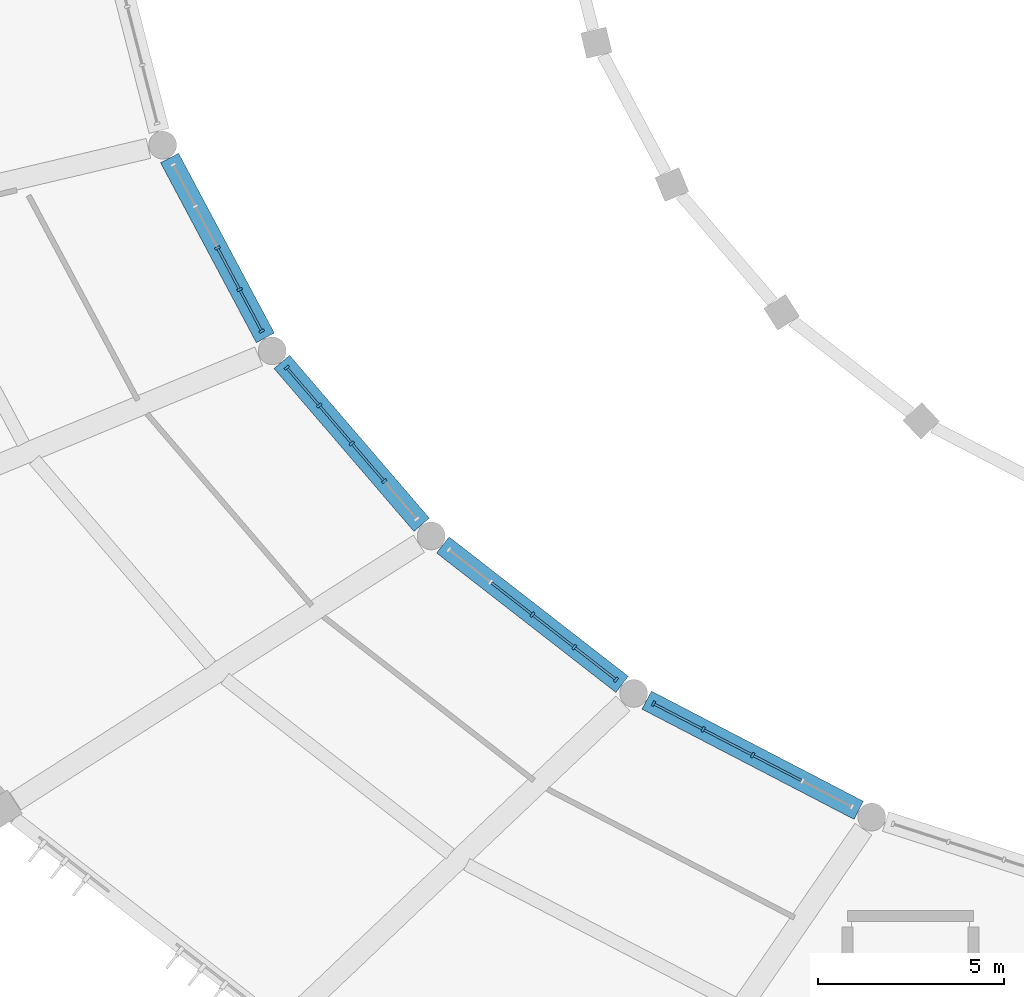
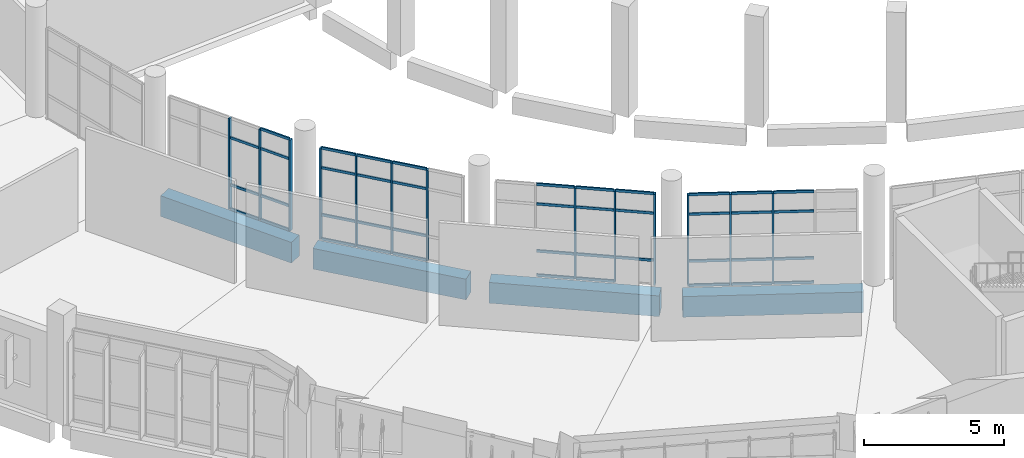
# One storey, part 11 of 179: 55 members, 4 beams, 4 elements without a shape of their own.
"""IFC4 building model written with IfcOpenShell, lengths in metres."""

from ifc_helpers import new_model, si_unit, direction, frame, origin, origin_2d, place, context, subcontext, project, spatial, rectangle, extrude, material, layer, layer_set, material_profile, profile_set, type_object, element, aggregate, save


model = new_model("IFC4")

# Units and contexts
model_context = context("Model", 3, precision=1e-05, world=origin(), true_north=direction((0.0, 1.0)))
body_context = subcontext(model_context, "Body", "Model", "MODEL_VIEW")
ifc_project = project(units=[si_unit("LENGTHUNIT", "METRE"), si_unit("AREAUNIT", "SQUARE_METRE"), si_unit("VOLUMEUNIT", "CUBIC_METRE"), si_unit("PLANEANGLEUNIT", "RADIAN"), si_unit("MASSUNIT", "GRAM", prefix="KILO")], contexts=[model_context])

# Site, building, storey
site_placement = place(None, origin())
site = spatial("IfcSite", under=ifc_project, at=site_placement, CompositionType="ELEMENT")
building_placement = place(site_placement, origin())
building = spatial("IfcBuilding", under=site, at=building_placement, Name="Corvandel Quay Wholesale Market", CompositionType="ELEMENT")
storey_placement = place(building_placement, frame((0.0, 0.0, 6.0)))
storey = spatial("IfcBuildingStorey", under=building, at=storey_placement, Name="L01", CompositionType="ELEMENT", Elevation=6.0)

# Curtain wall, members
ifc_material_1 = material(Name="Bronze anodised aluminium and low-E insulated glazing", Category="aluminium")
ifc_layer_1 = layer(ifc_material_1, 0.18603515625)
ifc_layer_set_1 = layer_set([ifc_layer_1], Name="Bronze anodised aluminium and low-E insulated glazing")
curtain_wall_type_1 = type_object("IfcCurtainWallType", Name="Stick Curtain Wall System CW08 H3720", PredefinedType="NOTDEFINED", material=ifc_layer_set_1)
curtain_wall_1_placement = place(storey_placement, origin())
curtain_wall_1 = element("IfcCurtainWall", 1, at=curtain_wall_1_placement, inside=storey, type_object=curtain_wall_type_1, Name="Curtain Wall CW-0051", PredefinedType="NOTDEFINED")
ifc_material_2 = material(Name="Anodised aluminium 6063-T6", Category="aluminium")
ifc_material_profile_1 = material_profile(ifc_material_2, rectangle(XDim=0.06494140625, YDim=0.14990234375, at=origin_2d()), Name="ALU-MUL-65x150")
ifc_profile_set_1 = profile_set([ifc_material_profile_1], Name="Anodised aluminium 6063-T6")
member_type_1 = type_object("IfcMemberType", Name="Curtain Wall Mullion ML02 65x150", PredefinedType="MULLION", material=ifc_profile_set_1)
member_1_placement = place(storey_placement, frame((77.83056640625, 30.347412109375, 0.0), z_axis=(0.0, 0.0, 1.0), x_axis=(-0.470087862033, 0.882619624736, 0.0)))
member_1 = element("IfcMember", 2, at=member_1_placement, type_object=member_type_1, Name="Mullion CW-0051-M02", PredefinedType="MULLION", context=body_context, shape_type="SweptSolid", body=[
    extrude(rectangle(XDim=0.06494140625, YDim=0.14990234375, at=origin_2d()), origin(), (0.0, 0.0, 1.0), 3.949951171875),
])
member_2_placement = place(storey_placement, frame((78.42724609375, 29.22705078125, 0.0), z_axis=(0.0, 0.0, 1.0), x_axis=(-0.470087862033, 0.882619624736, 0.0)))
member_2 = element("IfcMember", 3, at=member_2_placement, type_object=member_type_1, Name="Mullion CW-0051-M03", PredefinedType="MULLION", context=body_context, shape_type="SweptSolid", body=[
    extrude(rectangle(XDim=0.06494140625, YDim=0.14990234375, at=origin_2d()), origin(), (0.0, 0.0, 1.0), 3.949951171875),
])
member_3_placement = place(storey_placement, frame((79.02392578125, 28.106689453125, 0.0), z_axis=(0.0, 0.0, 1.0), x_axis=(-0.470087862033, 0.882619624736, 0.0)))
member_3 = element("IfcMember", 4, at=member_3_placement, type_object=member_type_1, Name="Mullion CW-0051-M04", PredefinedType="MULLION", context=body_context, shape_type="SweptSolid", body=[
    extrude(rectangle(XDim=0.06494140625, YDim=0.14990234375, at=origin_2d()), origin(), (0.0, 0.0, 1.0), 3.949951171875),
])

ifc_layer_2 = layer(ifc_material_1, 0.197998046875)
ifc_layer_set_2 = layer_set([ifc_layer_2], Name="Bronze anodised aluminium and low-E insulated glazing")
curtain_wall_type_2 = type_object("IfcCurtainWallType", Name="Stick Curtain Wall System CW09 H3810", PredefinedType="NOTDEFINED", material=ifc_layer_set_2)
curtain_wall_2_placement = place(storey_placement, origin())
curtain_wall_2 = element("IfcCurtainWall", 5, at=curtain_wall_2_placement, inside=storey, type_object=curtain_wall_type_2, Name="Curtain Wall CW-0055", PredefinedType="NOTDEFINED")
member_4_placement = place(storey_placement, frame((79.697021484375, 27.121826171875, 0.0), z_axis=(0.0, 0.0, 1.0), x_axis=(-0.651568967347, 0.758589401976, 0.0)))
member_4 = element("IfcMember", 6, at=member_4_placement, type_object=member_type_1, Name="Mullion CW-0055-M00", PredefinedType="MULLION", context=body_context, shape_type="SweptSolid", body=[
    extrude(rectangle(XDim=0.06494140625, YDim=0.14990234375, at=origin_2d()), origin(), (0.0, 0.0, 1.0), 3.949951171875),
])
member_5_placement = place(storey_placement, frame((80.572509765625, 26.1025390625, 0.0), z_axis=(0.0, 0.0, 1.0), x_axis=(-0.651568967347, 0.758589401976, 0.0)))
member_5 = element("IfcMember", 7, at=member_5_placement, type_object=member_type_1, Name="Mullion CW-0055-M01", PredefinedType="MULLION", context=body_context, shape_type="SweptSolid", body=[
    extrude(rectangle(XDim=0.06494140625, YDim=0.14990234375, at=origin_2d()), origin(), (0.0, 0.0, 1.0), 3.949951171875),
])
member_6_placement = place(storey_placement, frame((81.447998046875, 25.0830078125, 0.0), z_axis=(0.0, 0.0, 1.0), x_axis=(-0.651568967347, 0.758589401976, 0.0)))
member_6 = element("IfcMember", 8, at=member_6_placement, type_object=member_type_1, Name="Mullion CW-0055-M02", PredefinedType="MULLION", context=body_context, shape_type="SweptSolid", body=[
    extrude(rectangle(XDim=0.06494140625, YDim=0.14990234375, at=origin_2d()), origin(), (0.0, 0.0, 1.0), 3.949951171875),
])
member_7_placement = place(storey_placement, frame((82.323486328125, 24.0634765625, 0.0), z_axis=(0.0, 0.0, 1.0), x_axis=(-0.651568967347, 0.758589401976, 0.0)))
member_7 = element("IfcMember", 9, at=member_7_placement, type_object=member_type_1, Name="Mullion CW-0055-M03", PredefinedType="MULLION", context=body_context, shape_type="SweptSolid", body=[
    extrude(rectangle(XDim=0.06494140625, YDim=0.14990234375, at=origin_2d()), origin(), (0.0, 0.0, 1.0), 3.949951171875),
])

ifc_layer_3 = layer(ifc_material_1, 0.14990234375)
ifc_layer_set_3 = layer_set([ifc_layer_3], Name="Bronze anodised aluminium and low-E insulated glazing")
curtain_wall_type_3 = type_object("IfcCurtainWallType", Name="Stick Curtain Wall System CW10 H3900", PredefinedType="NOTDEFINED", material=ifc_layer_set_3)
curtain_wall_3_placement = place(storey_placement, origin())
curtain_wall_3 = element("IfcCurtainWall", 10, at=curtain_wall_3_placement, inside=storey, type_object=curtain_wall_type_3, Name="Curtain Wall CW-0058", PredefinedType="NOTDEFINED")
member_8_placement = place(storey_placement, frame((86.31640625, 20.468505859375, 0.0), z_axis=(0.0, 0.0, 1.0), x_axis=(-0.789405615633, 0.613871952452, 0.0)))
member_8 = element("IfcMember", 11, at=member_8_placement, type_object=member_type_1, Name="Mullion CW-0058-M02", PredefinedType="MULLION", context=body_context, shape_type="SweptSolid", body=[
    extrude(rectangle(XDim=0.06494140625, YDim=0.14990234375, at=origin_2d()), origin(), (0.0, 0.0, 1.0), 3.949951171875),
])
member_9_placement = place(storey_placement, frame((87.44287109375, 19.59228515625, 0.0), z_axis=(0.0, 0.0, 1.0), x_axis=(-0.789405615633, 0.613871952452, 0.0)))
member_9 = element("IfcMember", 12, at=member_9_placement, type_object=member_type_1, Name="Mullion CW-0058-M03", PredefinedType="MULLION", context=body_context, shape_type="SweptSolid", body=[
    extrude(rectangle(XDim=0.06494140625, YDim=0.14990234375, at=origin_2d()), origin(), (0.0, 0.0, 1.0), 3.949951171875),
])
member_10_placement = place(storey_placement, frame((88.5693359375, 18.71630859375, 0.0), z_axis=(0.0, 0.0, 1.0), x_axis=(-0.789405615633, 0.613871952452, 0.0)))
member_10 = element("IfcMember", 13, at=member_10_placement, type_object=member_type_1, Name="Mullion CW-0058-M04", PredefinedType="MULLION", context=body_context, shape_type="SweptSolid", body=[
    extrude(rectangle(XDim=0.06494140625, YDim=0.14990234375, at=origin_2d()), origin(), (0.0, 0.0, 1.0), 3.949951171875),
])

ifc_layer_4 = layer(ifc_material_1, 0.162109375)
ifc_layer_set_4 = layer_set([ifc_layer_4], Name="Bronze anodised aluminium and low-E insulated glazing")
curtain_wall_type_4 = type_object("IfcCurtainWallType", Name="Stick Curtain Wall System CW11 H3990", PredefinedType="NOTDEFINED", material=ifc_layer_set_4)
curtain_wall_4_placement = place(storey_placement, origin())
curtain_wall_4 = element("IfcCurtainWall", 14, at=curtain_wall_4_placement, inside=storey, type_object=curtain_wall_type_4, Name="Curtain Wall CW-0061", PredefinedType="NOTDEFINED")
member_11_placement = place(storey_placement, frame((89.575439453125, 18.0712890625, 0.0), z_axis=(0.0, 0.0, 1.0), x_axis=(-0.887332978338, 0.461129250378, 0.0)))
member_11 = element("IfcMember", 15, at=member_11_placement, type_object=member_type_1, Name="Mullion CW-0061-M00", PredefinedType="MULLION", context=body_context, shape_type="SweptSolid", body=[
    extrude(rectangle(XDim=0.06494140625, YDim=0.14990234375, at=origin_2d()), origin(), (0.0, 0.0, 1.0), 3.949951171875),
])
member_12_placement = place(storey_placement, frame((90.91259765625, 17.376708984375, 0.0), z_axis=(0.0, 0.0, 1.0), x_axis=(-0.887332978338, 0.461129250378, 0.0)))
member_12 = element("IfcMember", 16, at=member_12_placement, type_object=member_type_1, Name="Mullion CW-0061-M01", PredefinedType="MULLION", context=body_context, shape_type="SweptSolid", body=[
    extrude(rectangle(XDim=0.06494140625, YDim=0.14990234375, at=origin_2d()), origin(), (0.0, 0.0, 1.0), 3.949951171875),
])
member_13_placement = place(storey_placement, frame((92.24951171875, 16.681884765625, 0.0), z_axis=(0.0, 0.0, 1.0), x_axis=(-0.887332978338, 0.461129250378, 0.0)))
member_13 = element("IfcMember", 17, at=member_13_placement, type_object=member_type_1, Name="Mullion CW-0061-M02", PredefinedType="MULLION", context=body_context, shape_type="SweptSolid", body=[
    extrude(rectangle(XDim=0.06494140625, YDim=0.14990234375, at=origin_2d()), origin(), (0.0, 0.0, 1.0), 3.949951171875),
])

# Member
ifc_material_profile_2 = material_profile(ifc_material_2, rectangle(XDim=0.06005859375, YDim=0.110107421875, at=origin_2d()), Name="ALU-TRN-60x110")
ifc_profile_set_2 = profile_set([ifc_material_profile_2], Name="Anodised aluminium 6063-T6")
member_type_2 = type_object("IfcMemberType", Name="Curtain Wall Transom TR02 60x110", PredefinedType="USERDEFINED", material=ifc_profile_set_2)
member_14_placement = place(storey_placement, frame((77.845703125, 30.31884765625, 0.0), z_axis=(0.470167437755, -0.882577237682, 0.0), x_axis=(0.882577237682, 0.470167437755, 0.0)))
member_14 = element("IfcMember", 18, at=member_14_placement, type_object=member_type_2, Name="Transom CW-0051-T02-0", ObjectType="TRANSOM", PredefinedType="USERDEFINED", context=body_context, shape_type="SweptSolid", body=[
    extrude(rectangle(XDim=0.06005859375, YDim=0.110107421875, at=origin_2d()), origin(), (0.0, 0.0, 1.0), 1.20458984375),
])

member_15_placement = place(storey_placement, frame((77.845703125, 30.31884765625, 1.050048828125), z_axis=(0.470167437755, -0.882577237682, 0.0), x_axis=(0.882577237682, 0.470167437755, 0.0)))
member_15 = element("IfcMember", 19, at=member_15_placement, type_object=member_type_2, Name="Transom CW-0051-T02-1", ObjectType="TRANSOM", PredefinedType="USERDEFINED", context=body_context, shape_type="SweptSolid", body=[
    extrude(rectangle(XDim=0.06005859375, YDim=0.110107421875, at=origin_2d()), origin(), (0.0, 0.0, 1.0), 1.20458984375),
])

member_16_placement = place(storey_placement, frame((77.845703125, 30.31884765625, 3.10009765625), z_axis=(0.470167437755, -0.882577237682, 0.0), x_axis=(0.882577237682, 0.470167437755, 0.0)))
member_16 = element("IfcMember", 20, at=member_16_placement, type_object=member_type_2, Name="Transom CW-0051-T02-2", ObjectType="TRANSOM", PredefinedType="USERDEFINED", context=body_context, shape_type="SweptSolid", body=[
    extrude(rectangle(XDim=0.06005859375, YDim=0.110107421875, at=origin_2d()), origin(), (0.0, 0.0, 1.0), 1.20458984375),
])

member_17_placement = place(storey_placement, frame((78.4423828125, 29.198486328125, 0.0), z_axis=(0.470167437755, -0.882577237682, 0.0), x_axis=(0.882577237682, 0.470167437755, 0.0)))
member_17 = element("IfcMember", 21, at=member_17_placement, type_object=member_type_2, Name="Transom CW-0051-T03-0", ObjectType="TRANSOM", PredefinedType="USERDEFINED", context=body_context, shape_type="SweptSolid", body=[
    extrude(rectangle(XDim=0.06005859375, YDim=0.110107421875, at=origin_2d()), origin(), (0.0, 0.0, 1.0), 1.20458984375),
])

member_18_placement = place(storey_placement, frame((78.4423828125, 29.198486328125, 1.050048828125), z_axis=(0.470167437755, -0.882577237682, 0.0), x_axis=(0.882577237682, 0.470167437755, 0.0)))
member_18 = element("IfcMember", 22, at=member_18_placement, type_object=member_type_2, Name="Transom CW-0051-T03-1", ObjectType="TRANSOM", PredefinedType="USERDEFINED", context=body_context, shape_type="SweptSolid", body=[
    extrude(rectangle(XDim=0.06005859375, YDim=0.110107421875, at=origin_2d()), origin(), (0.0, 0.0, 1.0), 1.20458984375),
])

member_19_placement = place(storey_placement, frame((78.4423828125, 29.198486328125, 3.10009765625), z_axis=(0.470167437755, -0.882577237682, 0.0), x_axis=(0.882577237682, 0.470167437755, 0.0)))
member_19 = element("IfcMember", 23, at=member_19_placement, type_object=member_type_2, Name="Transom CW-0051-T03-2", ObjectType="TRANSOM", PredefinedType="USERDEFINED", context=body_context, shape_type="SweptSolid", body=[
    extrude(rectangle(XDim=0.06005859375, YDim=0.110107421875, at=origin_2d()), origin(), (0.0, 0.0, 1.0), 1.20458984375),
])

member_20_placement = place(storey_placement, frame((78.4423828125, 29.198486328125, 3.949951171875), z_axis=(0.470167437755, -0.882577237682, 0.0), x_axis=(0.882577237682, 0.470167437755, 0.0)))
member_20 = element("IfcMember", 24, at=member_20_placement, type_object=member_type_2, Name="Transom CW-0051-T03-3", ObjectType="TRANSOM", PredefinedType="USERDEFINED", context=body_context, shape_type="SweptSolid", body=[
    extrude(rectangle(XDim=0.06005859375, YDim=0.110107421875, at=origin_2d()), origin(), (0.0, 0.0, 1.0), 1.20458984375),
])

aggregate(curtain_wall_1, [member_1, member_2, member_3, member_14, member_15, member_16, member_17, member_18, member_19, member_20])

member_21_placement = place(storey_placement, frame((79.718017578125, 27.09716796875, 0.0), z_axis=(0.651624309471, -0.758541863911, 0.0), x_axis=(0.758541863911, 0.651624309471, 0.0)))
member_21 = element("IfcMember", 25, at=member_21_placement, type_object=member_type_2, Name="Transom CW-0055-T00-0", ObjectType="TRANSOM", PredefinedType="USERDEFINED", context=body_context, shape_type="SweptSolid", body=[
    extrude(rectangle(XDim=0.06005859375, YDim=0.110107421875, at=origin_2d()), origin(), (0.0, 0.0, 1.0), 1.27880859375),
])

member_22_placement = place(storey_placement, frame((79.718017578125, 27.09716796875, 1.050048828125), z_axis=(0.651624309471, -0.758541863911, 0.0), x_axis=(0.758541863911, 0.651624309471, 0.0)))
member_22 = element("IfcMember", 26, at=member_22_placement, type_object=member_type_2, Name="Transom CW-0055-T00-1", ObjectType="TRANSOM", PredefinedType="USERDEFINED", context=body_context, shape_type="SweptSolid", body=[
    extrude(rectangle(XDim=0.06005859375, YDim=0.110107421875, at=origin_2d()), origin(), (0.0, 0.0, 1.0), 1.27880859375),
])

member_23_placement = place(storey_placement, frame((79.718017578125, 27.09716796875, 3.10009765625), z_axis=(0.651624309471, -0.758541863911, 0.0), x_axis=(0.758541863911, 0.651624309471, 0.0)))
member_23 = element("IfcMember", 27, at=member_23_placement, type_object=member_type_2, Name="Transom CW-0055-T00-2", ObjectType="TRANSOM", PredefinedType="USERDEFINED", context=body_context, shape_type="SweptSolid", body=[
    extrude(rectangle(XDim=0.06005859375, YDim=0.110107421875, at=origin_2d()), origin(), (0.0, 0.0, 1.0), 1.27880859375),
])

member_24_placement = place(storey_placement, frame((79.718017578125, 27.09716796875, 3.949951171875), z_axis=(0.651624309471, -0.758541863911, 0.0), x_axis=(0.758541863911, 0.651624309471, 0.0)))
member_24 = element("IfcMember", 28, at=member_24_placement, type_object=member_type_2, Name="Transom CW-0055-T00-3", ObjectType="TRANSOM", PredefinedType="USERDEFINED", context=body_context, shape_type="SweptSolid", body=[
    extrude(rectangle(XDim=0.06005859375, YDim=0.110107421875, at=origin_2d()), origin(), (0.0, 0.0, 1.0), 1.27880859375),
])

member_25_placement = place(storey_placement, frame((80.593505859375, 26.077880859375, 0.0), z_axis=(0.651529947256, -0.758622915439, 0.0), x_axis=(0.758622915439, 0.651529947256, 0.0)))
member_25 = element("IfcMember", 29, at=member_25_placement, type_object=member_type_2, Name="Transom CW-0055-T01-0", ObjectType="TRANSOM", PredefinedType="USERDEFINED", context=body_context, shape_type="SweptSolid", body=[
    extrude(rectangle(XDim=0.06005859375, YDim=0.110107421875, at=origin_2d()), origin(), (0.0, 0.0, 1.0), 1.27880859375),
])

member_26_placement = place(storey_placement, frame((80.593505859375, 26.077880859375, 1.050048828125), z_axis=(0.651529947256, -0.758622915439, 0.0), x_axis=(0.758622915439, 0.651529947256, 0.0)))
member_26 = element("IfcMember", 30, at=member_26_placement, type_object=member_type_2, Name="Transom CW-0055-T01-1", ObjectType="TRANSOM", PredefinedType="USERDEFINED", context=body_context, shape_type="SweptSolid", body=[
    extrude(rectangle(XDim=0.06005859375, YDim=0.110107421875, at=origin_2d()), origin(), (0.0, 0.0, 1.0), 1.27880859375),
])

member_27_placement = place(storey_placement, frame((80.593505859375, 26.077880859375, 3.10009765625), z_axis=(0.651529947256, -0.758622915439, 0.0), x_axis=(0.758622915439, 0.651529947256, 0.0)))
member_27 = element("IfcMember", 31, at=member_27_placement, type_object=member_type_2, Name="Transom CW-0055-T01-2", ObjectType="TRANSOM", PredefinedType="USERDEFINED", context=body_context, shape_type="SweptSolid", body=[
    extrude(rectangle(XDim=0.06005859375, YDim=0.110107421875, at=origin_2d()), origin(), (0.0, 0.0, 1.0), 1.27880859375),
])

member_28_placement = place(storey_placement, frame((80.593505859375, 26.077880859375, 3.949951171875), z_axis=(0.651529947256, -0.758622915439, 0.0), x_axis=(0.758622915439, 0.651529947256, 0.0)))
member_28 = element("IfcMember", 32, at=member_28_placement, type_object=member_type_2, Name="Transom CW-0055-T01-3", ObjectType="TRANSOM", PredefinedType="USERDEFINED", context=body_context, shape_type="SweptSolid", body=[
    extrude(rectangle(XDim=0.06005859375, YDim=0.110107421875, at=origin_2d()), origin(), (0.0, 0.0, 1.0), 1.27880859375),
])

member_29_placement = place(storey_placement, frame((81.46923828125, 25.058349609375, 0.0), z_axis=(0.651529947256, -0.758622915439, 0.0), x_axis=(0.758622915439, 0.651529947256, 0.0)))
member_29 = element("IfcMember", 33, at=member_29_placement, type_object=member_type_2, Name="Transom CW-0055-T02-0", ObjectType="TRANSOM", PredefinedType="USERDEFINED", context=body_context, shape_type="SweptSolid", body=[
    extrude(rectangle(XDim=0.06005859375, YDim=0.110107421875, at=origin_2d()), origin(), (0.0, 0.0, 1.0), 1.27880859375),
])

member_30_placement = place(storey_placement, frame((81.46923828125, 25.058349609375, 1.050048828125), z_axis=(0.651529947256, -0.758622915439, 0.0), x_axis=(0.758622915439, 0.651529947256, 0.0)))
member_30 = element("IfcMember", 34, at=member_30_placement, type_object=member_type_2, Name="Transom CW-0055-T02-1", ObjectType="TRANSOM", PredefinedType="USERDEFINED", context=body_context, shape_type="SweptSolid", body=[
    extrude(rectangle(XDim=0.06005859375, YDim=0.110107421875, at=origin_2d()), origin(), (0.0, 0.0, 1.0), 1.27880859375),
])

member_31_placement = place(storey_placement, frame((81.46923828125, 25.058349609375, 3.10009765625), z_axis=(0.651529947256, -0.758622915439, 0.0), x_axis=(0.758622915439, 0.651529947256, 0.0)))
member_31 = element("IfcMember", 35, at=member_31_placement, type_object=member_type_2, Name="Transom CW-0055-T02-2", ObjectType="TRANSOM", PredefinedType="USERDEFINED", context=body_context, shape_type="SweptSolid", body=[
    extrude(rectangle(XDim=0.06005859375, YDim=0.110107421875, at=origin_2d()), origin(), (0.0, 0.0, 1.0), 1.27880859375),
])

member_32_placement = place(storey_placement, frame((81.46923828125, 25.058349609375, 3.949951171875), z_axis=(0.651529947256, -0.758622915439, 0.0), x_axis=(0.758622915439, 0.651529947256, 0.0)))
member_32 = element("IfcMember", 36, at=member_32_placement, type_object=member_type_2, Name="Transom CW-0055-T02-3", ObjectType="TRANSOM", PredefinedType="USERDEFINED", context=body_context, shape_type="SweptSolid", body=[
    extrude(rectangle(XDim=0.06005859375, YDim=0.110107421875, at=origin_2d()), origin(), (0.0, 0.0, 1.0), 1.27880859375),
])

aggregate(curtain_wall_2, [member_4, member_5, member_6, member_7, member_21, member_22, member_23, member_24, member_25, member_26, member_27, member_28, member_29, member_30, member_31, member_32])

member_33_placement = place(storey_placement, frame((85.2158203125, 21.32470703125, 0.0), z_axis=(0.789313604412, -0.613990255533, 0.0), x_axis=(0.613990255533, 0.789313604412, 0.0)))
member_33 = element("IfcMember", 37, at=member_33_placement, type_object=member_type_2, Name="Transom CW-0058-T01-0", ObjectType="TRANSOM", PredefinedType="USERDEFINED", context=body_context, shape_type="SweptSolid", body=[
    extrude(rectangle(XDim=0.06005859375, YDim=0.110107421875, at=origin_2d()), origin(), (0.0, 0.0, 1.0), 1.36181640625),
])

member_34_placement = place(storey_placement, frame((85.2158203125, 21.32470703125, 1.050048828125), z_axis=(0.789313604412, -0.613990255533, 0.0), x_axis=(0.613990255533, 0.789313604412, 0.0)))
member_34 = element("IfcMember", 38, at=member_34_placement, type_object=member_type_2, Name="Transom CW-0058-T01-1", ObjectType="TRANSOM", PredefinedType="USERDEFINED", context=body_context, shape_type="SweptSolid", body=[
    extrude(rectangle(XDim=0.06005859375, YDim=0.110107421875, at=origin_2d()), origin(), (0.0, 0.0, 1.0), 1.36181640625),
])

member_35_placement = place(storey_placement, frame((85.2158203125, 21.32470703125, 3.10009765625), z_axis=(0.789313604412, -0.613990255533, 0.0), x_axis=(0.613990255533, 0.789313604412, 0.0)))
member_35 = element("IfcMember", 39, at=member_35_placement, type_object=member_type_2, Name="Transom CW-0058-T01-2", ObjectType="TRANSOM", PredefinedType="USERDEFINED", context=body_context, shape_type="SweptSolid", body=[
    extrude(rectangle(XDim=0.06005859375, YDim=0.110107421875, at=origin_2d()), origin(), (0.0, 0.0, 1.0), 1.36181640625),
])

member_36_placement = place(storey_placement, frame((85.2158203125, 21.32470703125, 3.949951171875), z_axis=(0.789313604412, -0.613990255533, 0.0), x_axis=(0.613990255533, 0.789313604412, 0.0)))
member_36 = element("IfcMember", 40, at=member_36_placement, type_object=member_type_2, Name="Transom CW-0058-T01-3", ObjectType="TRANSOM", PredefinedType="USERDEFINED", context=body_context, shape_type="SweptSolid", body=[
    extrude(rectangle(XDim=0.06005859375, YDim=0.110107421875, at=origin_2d()), origin(), (0.0, 0.0, 1.0), 1.36181640625),
])

member_37_placement = place(storey_placement, frame((86.34228515625, 20.448486328125, 0.0), z_axis=(0.789313604412, -0.613990255533, 0.0), x_axis=(0.613990255533, 0.789313604412, 0.0)))
member_37 = element("IfcMember", 41, at=member_37_placement, type_object=member_type_2, Name="Transom CW-0058-T02-0", ObjectType="TRANSOM", PredefinedType="USERDEFINED", context=body_context, shape_type="SweptSolid", body=[
    extrude(rectangle(XDim=0.06005859375, YDim=0.110107421875, at=origin_2d()), origin(), (0.0, 0.0, 1.0), 1.36181640625),
])

member_38_placement = place(storey_placement, frame((86.34228515625, 20.448486328125, 1.050048828125), z_axis=(0.789313604412, -0.613990255533, 0.0), x_axis=(0.613990255533, 0.789313604412, 0.0)))
member_38 = element("IfcMember", 42, at=member_38_placement, type_object=member_type_2, Name="Transom CW-0058-T02-1", ObjectType="TRANSOM", PredefinedType="USERDEFINED", context=body_context, shape_type="SweptSolid", body=[
    extrude(rectangle(XDim=0.06005859375, YDim=0.110107421875, at=origin_2d()), origin(), (0.0, 0.0, 1.0), 1.36181640625),
])

member_39_placement = place(storey_placement, frame((86.34228515625, 20.448486328125, 3.10009765625), z_axis=(0.789313604412, -0.613990255533, 0.0), x_axis=(0.613990255533, 0.789313604412, 0.0)))
member_39 = element("IfcMember", 43, at=member_39_placement, type_object=member_type_2, Name="Transom CW-0058-T02-2", ObjectType="TRANSOM", PredefinedType="USERDEFINED", context=body_context, shape_type="SweptSolid", body=[
    extrude(rectangle(XDim=0.06005859375, YDim=0.110107421875, at=origin_2d()), origin(), (0.0, 0.0, 1.0), 1.36181640625),
])

member_40_placement = place(storey_placement, frame((86.34228515625, 20.448486328125, 3.949951171875), z_axis=(0.789313604412, -0.613990255533, 0.0), x_axis=(0.613990255533, 0.789313604412, 0.0)))
member_40 = element("IfcMember", 44, at=member_40_placement, type_object=member_type_2, Name="Transom CW-0058-T02-3", ObjectType="TRANSOM", PredefinedType="USERDEFINED", context=body_context, shape_type="SweptSolid", body=[
    extrude(rectangle(XDim=0.06005859375, YDim=0.110107421875, at=origin_2d()), origin(), (0.0, 0.0, 1.0), 1.36181640625),
])

member_41_placement = place(storey_placement, frame((87.468505859375, 19.572509765625, 1.050048828125), z_axis=(0.789381170954, -0.613903385676, 0.0), x_axis=(0.613903385676, 0.789381170954, 0.0)))
member_41 = element("IfcMember", 45, at=member_41_placement, type_object=member_type_2, Name="Transom CW-0058-T03-1", ObjectType="TRANSOM", PredefinedType="USERDEFINED", context=body_context, shape_type="SweptSolid", body=[
    extrude(rectangle(XDim=0.06005859375, YDim=0.110107421875, at=origin_2d()), origin(), (0.0, 0.0, 1.0), 1.362060546875),
])

member_42_placement = place(storey_placement, frame((87.468505859375, 19.572509765625, 3.10009765625), z_axis=(0.789381170954, -0.613903385676, 0.0), x_axis=(0.613903385676, 0.789381170954, 0.0)))
member_42 = element("IfcMember", 46, at=member_42_placement, type_object=member_type_2, Name="Transom CW-0058-T03-2", ObjectType="TRANSOM", PredefinedType="USERDEFINED", context=body_context, shape_type="SweptSolid", body=[
    extrude(rectangle(XDim=0.06005859375, YDim=0.110107421875, at=origin_2d()), origin(), (0.0, 0.0, 1.0), 1.362060546875),
])

member_43_placement = place(storey_placement, frame((87.468505859375, 19.572509765625, 3.949951171875), z_axis=(0.789381170954, -0.613903385676, 0.0), x_axis=(0.613903385676, 0.789381170954, 0.0)))
member_43 = element("IfcMember", 47, at=member_43_placement, type_object=member_type_2, Name="Transom CW-0058-T03-3", ObjectType="TRANSOM", PredefinedType="USERDEFINED", context=body_context, shape_type="SweptSolid", body=[
    extrude(rectangle(XDim=0.06005859375, YDim=0.110107421875, at=origin_2d()), origin(), (0.0, 0.0, 1.0), 1.362060546875),
])

aggregate(curtain_wall_3, [member_8, member_9, member_10, member_33, member_34, member_35, member_36, member_37, member_38, member_39, member_40, member_41, member_42, member_43])

member_44_placement = place(storey_placement, frame((89.604248046875, 18.056396484375, 0.0), z_axis=(0.887341534399, -0.46111278591, 0.0), x_axis=(0.46111278591, 0.887341534399, 0.0)))
member_44 = element("IfcMember", 48, at=member_44_placement, type_object=member_type_2, Name="Transom CW-0061-T00-0", ObjectType="TRANSOM", PredefinedType="USERDEFINED", context=body_context, shape_type="SweptSolid", body=[
    extrude(rectangle(XDim=0.06005859375, YDim=0.110107421875, at=origin_2d()), origin(), (0.0, 0.0, 1.0), 1.441650390625),
])

member_45_placement = place(storey_placement, frame((89.604248046875, 18.056396484375, 1.050048828125), z_axis=(0.887341534399, -0.46111278591, 0.0), x_axis=(0.46111278591, 0.887341534399, 0.0)))
member_45 = element("IfcMember", 49, at=member_45_placement, type_object=member_type_2, Name="Transom CW-0061-T00-1", ObjectType="TRANSOM", PredefinedType="USERDEFINED", context=body_context, shape_type="SweptSolid", body=[
    extrude(rectangle(XDim=0.06005859375, YDim=0.110107421875, at=origin_2d()), origin(), (0.0, 0.0, 1.0), 1.441650390625),
])

member_46_placement = place(storey_placement, frame((89.604248046875, 18.056396484375, 3.10009765625), z_axis=(0.887341534399, -0.46111278591, 0.0), x_axis=(0.46111278591, 0.887341534399, 0.0)))
member_46 = element("IfcMember", 50, at=member_46_placement, type_object=member_type_2, Name="Transom CW-0061-T00-2", ObjectType="TRANSOM", PredefinedType="USERDEFINED", context=body_context, shape_type="SweptSolid", body=[
    extrude(rectangle(XDim=0.06005859375, YDim=0.110107421875, at=origin_2d()), origin(), (0.0, 0.0, 1.0), 1.441650390625),
])

member_47_placement = place(storey_placement, frame((89.604248046875, 18.056396484375, 3.949951171875), z_axis=(0.887341534399, -0.46111278591, 0.0), x_axis=(0.46111278591, 0.887341534399, 0.0)))
member_47 = element("IfcMember", 51, at=member_47_placement, type_object=member_type_2, Name="Transom CW-0061-T00-3", ObjectType="TRANSOM", PredefinedType="USERDEFINED", context=body_context, shape_type="SweptSolid", body=[
    extrude(rectangle(XDim=0.06005859375, YDim=0.110107421875, at=origin_2d()), origin(), (0.0, 0.0, 1.0), 1.441650390625),
])

member_48_placement = place(storey_placement, frame((90.94140625, 17.36181640625, 0.0), z_axis=(0.887341534399, -0.46111278591, 0.0), x_axis=(0.46111278591, 0.887341534399, 0.0)))
member_48 = element("IfcMember", 52, at=member_48_placement, type_object=member_type_2, Name="Transom CW-0061-T01-0", ObjectType="TRANSOM", PredefinedType="USERDEFINED", context=body_context, shape_type="SweptSolid", body=[
    extrude(rectangle(XDim=0.06005859375, YDim=0.110107421875, at=origin_2d()), origin(), (0.0, 0.0, 1.0), 1.441650390625),
])

member_49_placement = place(storey_placement, frame((90.94140625, 17.36181640625, 1.050048828125), z_axis=(0.887341534399, -0.46111278591, 0.0), x_axis=(0.46111278591, 0.887341534399, 0.0)))
member_49 = element("IfcMember", 53, at=member_49_placement, type_object=member_type_2, Name="Transom CW-0061-T01-1", ObjectType="TRANSOM", PredefinedType="USERDEFINED", context=body_context, shape_type="SweptSolid", body=[
    extrude(rectangle(XDim=0.06005859375, YDim=0.110107421875, at=origin_2d()), origin(), (0.0, 0.0, 1.0), 1.441650390625),
])

member_50_placement = place(storey_placement, frame((90.94140625, 17.36181640625, 3.10009765625), z_axis=(0.887341534399, -0.46111278591, 0.0), x_axis=(0.46111278591, 0.887341534399, 0.0)))
member_50 = element("IfcMember", 54, at=member_50_placement, type_object=member_type_2, Name="Transom CW-0061-T01-2", ObjectType="TRANSOM", PredefinedType="USERDEFINED", context=body_context, shape_type="SweptSolid", body=[
    extrude(rectangle(XDim=0.06005859375, YDim=0.110107421875, at=origin_2d()), origin(), (0.0, 0.0, 1.0), 1.441650390625),
])

member_51_placement = place(storey_placement, frame((90.94140625, 17.36181640625, 3.949951171875), z_axis=(0.887341534399, -0.46111278591, 0.0), x_axis=(0.46111278591, 0.887341534399, 0.0)))
member_51 = element("IfcMember", 55, at=member_51_placement, type_object=member_type_2, Name="Transom CW-0061-T01-3", ObjectType="TRANSOM", PredefinedType="USERDEFINED", context=body_context, shape_type="SweptSolid", body=[
    extrude(rectangle(XDim=0.06005859375, YDim=0.110107421875, at=origin_2d()), origin(), (0.0, 0.0, 1.0), 1.441650390625),
])

member_52_placement = place(storey_placement, frame((92.2783203125, 16.6669921875, 0.0), z_axis=(0.887341534399, -0.46111278591, 0.0), x_axis=(0.46111278591, 0.887341534399, 0.0)))
member_52 = element("IfcMember", 56, at=member_52_placement, type_object=member_type_2, Name="Transom CW-0061-T02-0", ObjectType="TRANSOM", PredefinedType="USERDEFINED", context=body_context, shape_type="SweptSolid", body=[
    extrude(rectangle(XDim=0.06005859375, YDim=0.110107421875, at=origin_2d()), origin(), (0.0, 0.0, 1.0), 1.441650390625),
])

member_53_placement = place(storey_placement, frame((92.2783203125, 16.6669921875, 1.050048828125), z_axis=(0.887341534399, -0.46111278591, 0.0), x_axis=(0.46111278591, 0.887341534399, 0.0)))
member_53 = element("IfcMember", 57, at=member_53_placement, type_object=member_type_2, Name="Transom CW-0061-T02-1", ObjectType="TRANSOM", PredefinedType="USERDEFINED", context=body_context, shape_type="SweptSolid", body=[
    extrude(rectangle(XDim=0.06005859375, YDim=0.110107421875, at=origin_2d()), origin(), (0.0, 0.0, 1.0), 1.441650390625),
])

member_54_placement = place(storey_placement, frame((92.2783203125, 16.6669921875, 3.10009765625), z_axis=(0.887341534399, -0.46111278591, 0.0), x_axis=(0.46111278591, 0.887341534399, 0.0)))
member_54 = element("IfcMember", 58, at=member_54_placement, type_object=member_type_2, Name="Transom CW-0061-T02-2", ObjectType="TRANSOM", PredefinedType="USERDEFINED", context=body_context, shape_type="SweptSolid", body=[
    extrude(rectangle(XDim=0.06005859375, YDim=0.110107421875, at=origin_2d()), origin(), (0.0, 0.0, 1.0), 1.441650390625),
])

member_55_placement = place(storey_placement, frame((92.2783203125, 16.6669921875, 3.949951171875), z_axis=(0.887341534399, -0.46111278591, 0.0), x_axis=(0.46111278591, 0.887341534399, 0.0)))
member_55 = element("IfcMember", 59, at=member_55_placement, type_object=member_type_2, Name="Transom CW-0061-T02-3", ObjectType="TRANSOM", PredefinedType="USERDEFINED", context=body_context, shape_type="SweptSolid", body=[
    extrude(rectangle(XDim=0.06005859375, YDim=0.110107421875, at=origin_2d()), origin(), (0.0, 0.0, 1.0), 1.441650390625),
])

aggregate(curtain_wall_4, [member_11, member_12, member_13, member_44, member_45, member_46, member_47, member_48, member_49, member_50, member_51, member_52, member_53, member_54, member_55])

# Beams
ifc_material_3 = material(Name="Precast concrete C45/55", Category="concrete")
ifc_material_profile_3 = material_profile(ifc_material_3, rectangle(XDim=0.550048828125, YDim=0.89990234375, at=origin_2d()), Name="PC-GIR-550x900")
ifc_profile_set_3 = profile_set([ifc_material_profile_3], Name="Precast concrete C45/55")
beam_type = type_object("IfcBeamType", Name="Produce Hall Radial Girder G03 550x900", PredefinedType="USERDEFINED", material=ifc_profile_set_3)
beam_1_placement = place(storey_placement, frame((76.540771484375, 32.769287109375, -0.75), z_axis=(0.470057068479, -0.882636024856, 0.0), x_axis=(0.882636024856, 0.470057068479, 0.0)))
element("IfcBeam", 60, at=beam_1_placement, inside=storey, type_object=beam_type, Name="Beam BM-0218", ObjectType="GIRDER", PredefinedType="USERDEFINED", context=body_context, shape_type="SweptSolid", body=[
    extrude(rectangle(XDim=0.550048828125, YDim=0.89990234375, at=origin_2d()), origin(), (0.0, 0.0, 1.0), 5.48779296875),
])
beam_2_placement = place(storey_placement, frame((79.5634765625, 27.27734375, -0.75), z_axis=(0.651520926354, -0.758630662789, 0.0), x_axis=(0.758630662789, 0.651520926354, 0.0)))
element("IfcBeam", 61, at=beam_2_placement, inside=storey, type_object=beam_type, Name="Beam BM-0230", ObjectType="GIRDER", PredefinedType="USERDEFINED", context=body_context, shape_type="SweptSolid", body=[
    extrude(rectangle(XDim=0.550048828125, YDim=0.89990234375, at=origin_2d()), origin(), (0.0, 0.0, 1.0), 5.784912109375),
])
beam_3_placement = place(storey_placement, frame((83.90185546875, 22.346435546875, -0.75), z_axis=(0.78937585328, -0.613910223288, 0.0), x_axis=(0.613910223288, 0.78937585328, 0.0)))
element("IfcBeam", 62, at=beam_3_placement, inside=storey, type_object=beam_type, Name="Beam BM-0242", ObjectType="GIRDER", PredefinedType="USERDEFINED", context=body_context, shape_type="SweptSolid", body=[
    extrude(rectangle(XDim=0.550048828125, YDim=0.89990234375, at=origin_2d()), origin(), (0.0, 0.0, 1.0), 6.117919921875),
])
beam_4_placement = place(storey_placement, frame((89.3935546875, 18.166015625, -0.75), z_axis=(0.887355240172, -0.461086410274, 0.0), x_axis=(0.461086410274, 0.887355240172, 0.0)))
element("IfcBeam", 63, at=beam_4_placement, inside=storey, type_object=beam_type, Name="Beam BM-0254", ObjectType="GIRDER", PredefinedType="USERDEFINED", context=body_context, shape_type="SweptSolid", body=[
    extrude(rectangle(XDim=0.550048828125, YDim=0.89990234375, at=origin_2d()), origin(), (0.0, 0.0, 1.0), 6.43701171875),
])

save(model, "model.ifc")
